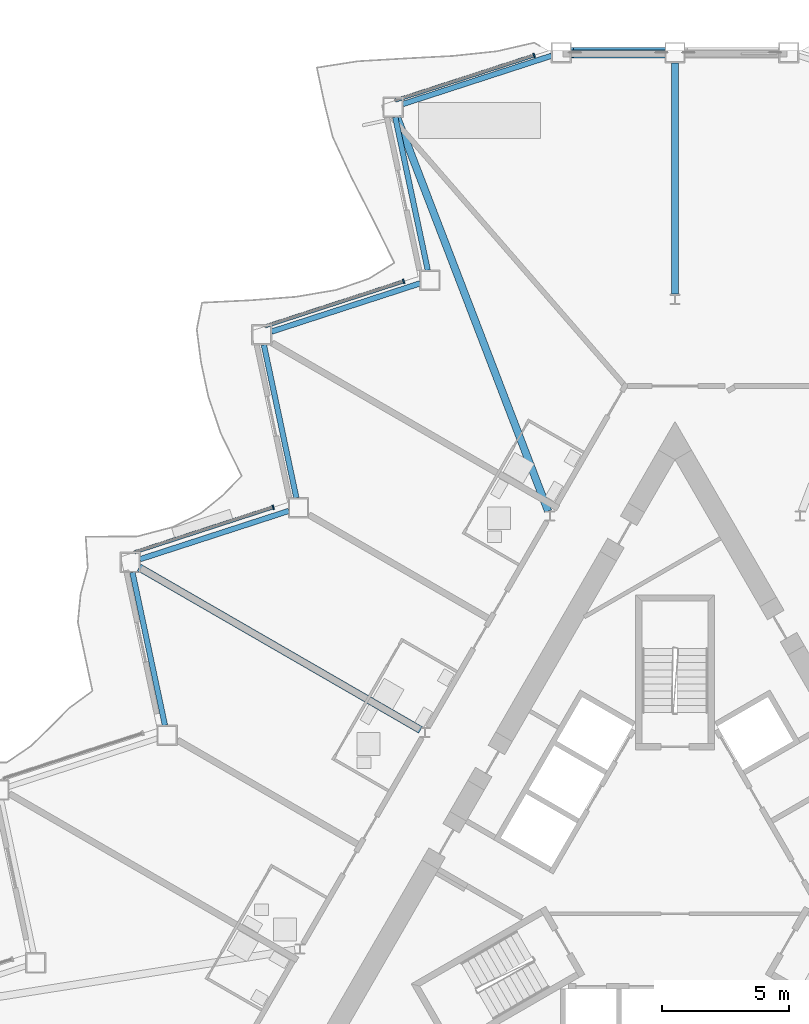
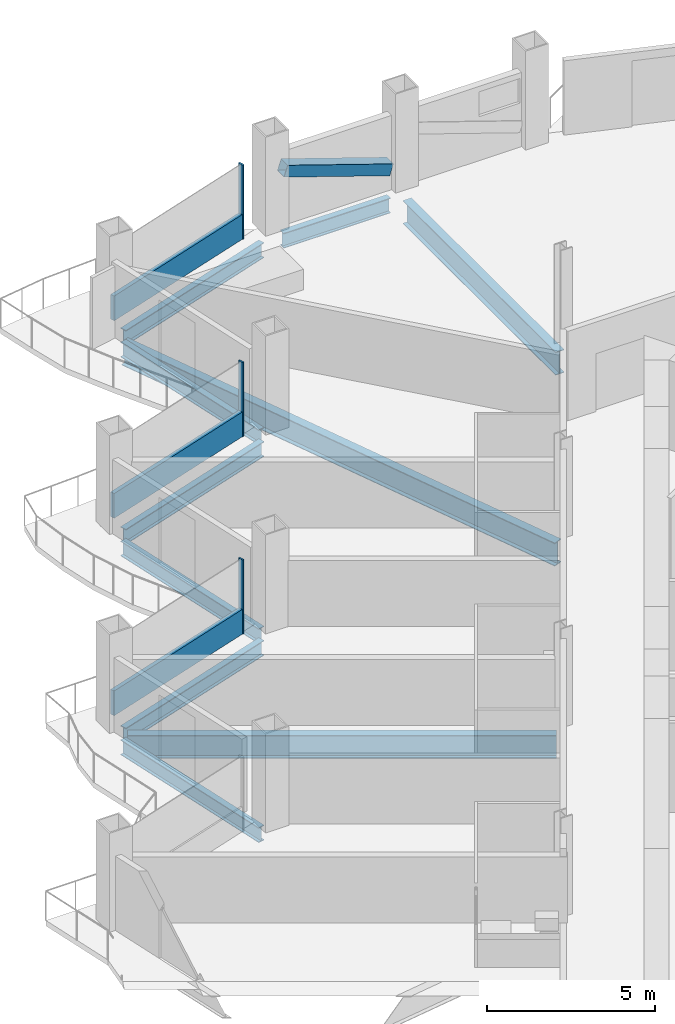
# One storey, part 7 of 23: 10 beams, 7 members, 3 elements without a shape of their own.
"""IFC4 building model written with IfcOpenShell, lengths in metres."""

import ifcopenshell
import ifcopenshell.guid

model = None  # the IFC model being written
_history = None  # IfcOwnerHistory: only IFC2X3 demands one
_inside = {}  # id of a spatial element -> (the spatial element, [elements in it])
_under = {}  # id of a project, library or spatial element -> (it, [spatial elements below it])
_declared = {}  # id of a project -> (the project, [libraries it declares])
_typed = {}  # id of a type object -> (the type object, [elements of that type])
_made_of = {}  # id of a material, layer set ... -> (it, [elements and type objects made of it])


def new_model(schema):
    """Start an empty IFC model of exactly this schema.

    Asked for "IFC4X3", IfcOpenShell would pick the latest addendum, in which some entities
    have other attributes; the version numbers below select the first issue.
    IFC2X3 requires an IfcOwnerHistory on every rooted entity: one is made here for all.
    """
    global model, _history
    if schema == "IFC4X3":
        model = ifcopenshell.file(schema_version=(4, 3, 0, 0))
    else:
        model = ifcopenshell.file(schema=schema)
    _inside.clear()
    _under.clear()
    _declared.clear()
    _typed.clear()
    _made_of.clear()
    _history = None
    if model.schema == "IFC2X3":
        org = make("IfcOrganization", Name="unknown")
        user = make(
            "IfcPersonAndOrganization",
            ThePerson=make("IfcPerson", FamilyName="unknown"),
            TheOrganization=org,
        )
        app = make(
            "IfcApplication",
            ApplicationDeveloper=org,
            Version="unknown",
            ApplicationFullName="unknown",
            ApplicationIdentifier="unknown",
        )
        _history = make(
            "IfcOwnerHistory",
            OwningUser=user,
            OwningApplication=app,
            ChangeAction="ADDED",
            CreationDate=0,
        )
    return model


def make(cls, **values):
    """One entity of the class cls with the attributes given. An attribute that is None is left unset."""
    return model.create_entity(
        cls, **{name: value for name, value in values.items() if value is not None}
    )


def rooted(cls, **values):
    """An entity with a GlobalId (a new one), such as an element, a storey or a relation."""
    return make(cls, GlobalId=ifcopenshell.guid.new(), OwnerHistory=_history, **values)


def si_unit(unit_type, name, prefix=None):
    """IfcSIUnit, for example si_unit("LENGTHUNIT", "METRE", prefix="MILLI")."""
    return make("IfcSIUnit", UnitType=unit_type, Prefix=prefix, Name=name)


def assignment(units):
    """IfcUnitAssignment: the units of a project."""
    return None if units is None else make("IfcUnitAssignment", Units=units)


def point(xyz):
    """IfcCartesianPoint."""
    return None if xyz is None else make("IfcCartesianPoint", Coordinates=xyz)


def direction(xyz):
    """IfcDirection."""
    return None if xyz is None else make("IfcDirection", DirectionRatios=xyz)


def frame(location, z_axis=None, x_axis=None):
    """IfcAxis2Placement3D, a coordinate frame: its origin and axes. An axis left out is left unset."""
    return make(
        "IfcAxis2Placement3D",
        Location=point(location),
        Axis=direction(z_axis),
        RefDirection=direction(x_axis),
    )


def frame_2d(location, x_axis=None):
    """IfcAxis2Placement2D, a coordinate frame in the plane: its origin and x axis."""
    return make(
        "IfcAxis2Placement2D", Location=point(location), RefDirection=direction(x_axis)
    )


def origin():
    """The frame at (0, 0, 0) with its axes left unset."""
    return frame((0.0, 0.0, 0.0))


def origin_2d():
    """The frame at (0, 0) in the plane with its x axis left unset."""
    return frame_2d((0.0, 0.0))


def place(relative_to, where):
    """IfcLocalPlacement: puts the frame where relative to a parent placement (None: the world)."""
    return make(
        "IfcLocalPlacement", PlacementRelTo=relative_to, RelativePlacement=where
    )


def context(
    kind, dimensions, precision=None, world=None, true_north=None, identifier=None
):
    """IfcGeometricRepresentationContext, for example the 3D "Model" context."""
    return make(
        "IfcGeometricRepresentationContext",
        ContextIdentifier=identifier,
        ContextType=kind,
        CoordinateSpaceDimension=dimensions,
        Precision=precision,
        WorldCoordinateSystem=world,
        TrueNorth=true_north,
    )


def subcontext(parent, identifier, kind, view, scale=None):
    """IfcGeometricRepresentationSubContext, for example "Body" below "Model"."""
    return make(
        "IfcGeometricRepresentationSubContext",
        ContextIdentifier=identifier,
        ContextType=kind,
        ParentContext=parent,
        TargetScale=scale,
        TargetView=view,
    )


def project(units=None, contexts=None):
    """IfcProject with its units and contexts."""
    return rooted(
        "IfcProject",
        Name="project",
        RepresentationContexts=contexts,
        UnitsInContext=assignment(units),
    )


def spatial(cls, under=None, at=None, **own):
    """A site, building, storey or space (cls), placed at a placement, below another one or the project."""
    s = rooted(cls, ObjectPlacement=at, **own)
    if under is not None:
        _under.setdefault(under.id(), (under, []))[1].append(s)
    return s


def profile(cls, at=None, kind="AREA", **sizes):
    """A parametric profile (cls). Its sizes go by their IFC names, for example OverallWidth=200.0."""
    return make(cls, ProfileType=kind, Position=at, **sizes)


def rectangle(**sizes):
    """IfcRectangleProfileDef."""
    return profile("IfcRectangleProfileDef", **sizes)


def hollow_rectangle(**sizes):
    """IfcRectangleHollowProfileDef."""
    return profile("IfcRectangleHollowProfileDef", **sizes)


def i_section(**sizes):
    """IfcIShapeProfileDef."""
    return profile("IfcIShapeProfileDef", **sizes)


def extrude(swept, where, along, depth):
    """IfcExtrudedAreaSolid: the profile swept, set in the frame where, extruded along a direction by depth."""
    return make(
        "IfcExtrudedAreaSolid",
        SweptArea=swept,
        Position=where,
        ExtrudedDirection=direction(along),
        Depth=depth,
    )


def shape(context_of_items, identifier, shape_type, items):
    """IfcShapeRepresentation: the items that make up one representation, for example the "Body"."""
    return make(
        "IfcShapeRepresentation",
        ContextOfItems=context_of_items,
        RepresentationIdentifier=identifier,
        RepresentationType=shape_type,
        Items=items,
    )


def material(Name=None, Category=None):
    """IfcMaterial."""
    return make("IfcMaterial", Name=Name, Category=Category)


def layer(
    of_material, thickness, ventilated=None, Name=None, Category=None, Priority=None
):
    """IfcMaterialLayer: one layer of a wall or slab, of a material (None: an air gap)."""
    return make(
        "IfcMaterialLayer",
        Material=of_material,
        LayerThickness=thickness,
        IsVentilated=ventilated,
        Name=Name,
        Category=Category,
        Priority=Priority,
    )


def layer_set(layers, Name=None):
    """IfcMaterialLayerSet."""
    return make("IfcMaterialLayerSet", MaterialLayers=layers, LayerSetName=Name)


def material_profile(
    of_material, cross_section, Name=None, Category=None, Priority=None
):
    """IfcMaterialProfile: a cross section and its material."""
    return make(
        "IfcMaterialProfile",
        Name=Name,
        Material=of_material,
        Profile=cross_section,
        Priority=Priority,
        Category=Category,
    )


def profile_set(profiles, Name=None, composite=None):
    """IfcMaterialProfileSet."""
    return make(
        "IfcMaterialProfileSet",
        Name=Name,
        MaterialProfiles=profiles,
        CompositeProfile=composite,
    )


def made_of(thing, what):
    """Note that an element or type object is made of a material, layer set ...; save() writes the relation."""
    if what is not None:
        _made_of.setdefault(what.id(), (what, []))[1].append(thing)
    return thing


def type_object(cls, material=None, **own):
    """A type object (cls), such as IfcWallType, which elements share."""
    return made_of(rooted(cls, **own), material)


def element(
    cls,
    number,
    at=None,
    inside=None,
    cuts=None,
    type_object=None,
    material=None,
    context=None,
    identifier="Body",
    shape_type=None,
    held_by="IfcProductDefinitionShape",
    body=None,
    shapes=None,
    **own,
):
    """One element of the class cls, such as IfcWall. Its Tag is "e" and its number.

    at: its placement. inside: the storey or other place that contains it. cuts: it is an
    opening in that element (IfcRelVoidsElement). A single representation is given by context,
    identifier, shape_type and body (its items); several are given by shapes. held_by: the class
    of the entity that holds the representations. save() writes the other relations.
    """
    e = rooted(cls, Tag="e%d" % number, ObjectPlacement=at, **own)
    if body is not None:
        shapes = [shape(context, identifier, shape_type, body)]
    if shapes is not None:
        e.Representation = make(held_by, Representations=shapes)
    if inside is not None:
        _inside.setdefault(inside.id(), (inside, []))[1].append(e)
    if cuts is not None:
        rooted(
            "IfcRelVoidsElement", RelatingBuildingElement=cuts, RelatedOpeningElement=e
        )
    if type_object is not None:
        _typed.setdefault(type_object.id(), (type_object, []))[1].append(e)
    return made_of(e, material)


def aggregate(whole, parts):
    """IfcRelAggregates: a whole, such as a stair, and the parts it consists of."""
    return rooted("IfcRelAggregates", RelatingObject=whole, RelatedObjects=parts)


def save(model, path):
    """Write the relations noted so far, then the file.

    IfcRelAggregates (storeys below a building ...), IfcRelContainedInSpatialStructure (elements
    in a storey), IfcRelDefinesByType, IfcRelAssociatesMaterial and IfcRelDeclares: one each for
    every whole, place, type object, material and project.
    """
    for whole, parts in _under.values():
        aggregate(whole, parts)
    for where, things in _inside.values():
        rooted(
            "IfcRelContainedInSpatialStructure",
            RelatedElements=things,
            RelatingStructure=where,
        )
    for kind, things in _typed.values():
        rooted("IfcRelDefinesByType", RelatedObjects=things, RelatingType=kind)
    for what, things in _made_of.values():
        rooted("IfcRelAssociatesMaterial", RelatedObjects=things, RelatingMaterial=what)
    for by, libraries in _declared.values():
        rooted("IfcRelDeclares", RelatingContext=by, RelatedDefinitions=libraries)
    model.write(path)


model = new_model("IFC4")

# Units and contexts
model_context = context("Model", 3, precision=1e-05, world=origin(), true_north=direction((0.0, 1.0)))
body_context = subcontext(model_context, "Body", "Model", "MODEL_VIEW")
ifc_project = project(units=[si_unit("LENGTHUNIT", "METRE"), si_unit("AREAUNIT", "SQUARE_METRE"), si_unit("VOLUMEUNIT", "CUBIC_METRE"), si_unit("PLANEANGLEUNIT", "RADIAN"), si_unit("MASSUNIT", "GRAM", prefix="KILO")], contexts=[model_context])

# Site, building, storey
site_placement = place(None, origin())
site = spatial("IfcSite", under=ifc_project, at=site_placement, CompositionType="ELEMENT")
building_placement = place(site_placement, origin())
building = spatial("IfcBuilding", under=site, at=building_placement, Name="Cormorant Prow Tower", CompositionType="ELEMENT")
storey_placement = place(building_placement, frame((0.0, 0.0, 187.199951171875)))
storey = spatial("IfcBuildingStorey", under=building, at=storey_placement, Name="L40", CompositionType="ELEMENT", Elevation=187.199951171875)

# Member
ifc_material_1 = material(Name="Structural steel ASTM A500 Gr C", Category="steel")
ifc_material_profile_1 = material_profile(ifc_material_1, hollow_rectangle(XDim=0.406494140625, YDim=0.406494140625, WallThickness=0.01171875, at=origin_2d()), Name="HSS16x16x1/2")
ifc_profile_set_1 = profile_set([ifc_material_profile_1], Name="Structural steel ASTM A500 Gr C")
member_type_1 = type_object("IfcMemberType", Name="Chamfer brace HSS16x16x1/2", PredefinedType="BRACE", material=ifc_profile_set_1)
member_1_placement = place(storey_placement, frame((-0.417236328125, 32.3994140625, 0.739990234375), z_axis=(-0.947980792039, 0.0, 0.318327532464), x_axis=(0.0, -1.0, 0.0)))
element("IfcMember", 1, at=member_1_placement, inside=storey, type_object=member_type_1, Name="Chamfer brace BR2 at N01 L40", PredefinedType="BRACE", context=body_context, shape_type="SweptSolid", body=[
    extrude(hollow_rectangle(XDim=0.406494140625, YDim=0.406494140625, WallThickness=0.01171875, at=origin_2d()), origin(), (0.0, 0.0, 1.0), 3.83544921875),
])

# Curtain wall, member
ifc_material_2 = material(Name="Aluminium 6063-T6", Category="aluminium")
ifc_layer = layer(ifc_material_2, 0.179931640625)
ifc_layer_set = layer_set([ifc_layer], Name="Aluminium 6063-T6")
curtain_wall_type = type_object("IfcCurtainWallType", Name="Hotel unitised curtain wall 180", PredefinedType="NOTDEFINED", material=ifc_layer_set)
curtain_wall_1_placement = place(storey_placement, origin())
curtain_wall_1 = element("IfcCurtainWall", 2, at=curtain_wall_1_placement, inside=storey, type_object=curtain_wall_type, Name="Hotel curtain wall WNW00", PredefinedType="NOTDEFINED")
ifc_material_3 = material(Name="Aluminium 6063-T6", Category="aluminium")
ifc_material_profile_2 = material_profile(ifc_material_3, rectangle(XDim=0.179931640625, YDim=0.06005859375, at=origin_2d()), Name="Hotel mullion 60x180")
ifc_profile_set_2 = profile_set([ifc_material_profile_2], Name="Aluminium 6063-T6")
member_type_2 = type_object("IfcMemberType", Name="Hotel mullion 60x180", PredefinedType="MULLION", material=ifc_profile_set_2)
member_2_placement = place(storey_placement, frame((-5.54052734375, 32.287109375, 0.0), z_axis=(0.0, 0.0, 1.0), x_axis=(0.309016960463, -0.951056527314, 0.0)))
member_2 = element("IfcMember", 3, at=member_2_placement, type_object=member_type_2, Name="Hotel mullion WNW00", PredefinedType="MULLION", context=body_context, shape_type="SweptSolid", body=[
    extrude(rectangle(XDim=0.179931640625, YDim=0.06005859375, at=origin_2d()), origin(), (0.0, 0.0, 1.0), 2.700927734375),
])

curtain_wall_2_placement = place(storey_placement, origin())
curtain_wall_2 = element("IfcCurtainWall", 4, at=curtain_wall_2_placement, inside=storey, type_object=curtain_wall_type, Name="Hotel curtain wall WNW02", PredefinedType="NOTDEFINED")
member_3_placement = place(storey_placement, frame((-10.667724609375, 23.40673828125, 0.0), z_axis=(0.0, 0.0, 1.0), x_axis=(0.309016960463, -0.951056527314, 0.0)))
member_3 = element("IfcMember", 5, at=member_3_placement, type_object=member_type_2, Name="Hotel mullion WNW02", PredefinedType="MULLION", context=body_context, shape_type="SweptSolid", body=[
    extrude(rectangle(XDim=0.179931640625, YDim=0.06005859375, at=origin_2d()), origin(), (0.0, 0.0, 1.0), 2.700927734375),
])

curtain_wall_3_placement = place(storey_placement, origin())
curtain_wall_3 = element("IfcCurtainWall", 6, at=curtain_wall_3_placement, inside=storey, type_object=curtain_wall_type, Name="Hotel curtain wall WNW04", PredefinedType="NOTDEFINED")
member_4_placement = place(storey_placement, frame((-15.794677734375, 14.5263671875, 0.0), z_axis=(0.0, 0.0, 1.0), x_axis=(0.309017048969, -0.951056498556, 0.0)))
member_4 = element("IfcMember", 7, at=member_4_placement, type_object=member_type_2, Name="Hotel mullion WNW04", PredefinedType="MULLION", context=body_context, shape_type="SweptSolid", body=[
    extrude(rectangle(XDim=0.179931640625, YDim=0.06005859375, at=origin_2d()), origin(), (0.0, 0.0, 1.0), 2.700927734375),
])

# Member
ifc_material_4 = material(Name="Terracotta", Category="masonry")
ifc_material_profile_3 = material_profile(ifc_material_4, rectangle(XDim=0.139892578125, YDim=0.89990234375, at=origin_2d()), Name="Hotel terracotta spandrel rail 140x900")
ifc_profile_set_3 = profile_set([ifc_material_profile_3], Name="Terracotta")
member_type_3 = type_object("IfcMemberType", Name="Hotel terracotta spandrel rail 140x900", PredefinedType="USERDEFINED", material=ifc_profile_set_3)
member_5_placement = place(storey_placement, frame((-5.569091796875, 32.27783203125, 0.449951171875), z_axis=(-0.951053256447, -0.309027026975, 0.0), x_axis=(0.309027026975, -0.951053256447, 0.0)))
member_5 = element("IfcMember", 8, at=member_5_placement, type_object=member_type_3, Name="Hotel spandrel rail WNW00", ObjectType="TRANSOM", PredefinedType="USERDEFINED", context=body_context, shape_type="SweptSolid", body=[
    extrude(rectangle(XDim=0.139892578125, YDim=0.89990234375, at=origin_2d()), origin(), (0.0, 0.0, 1.0), 5.703125),
])

aggregate(curtain_wall_1, [member_2, member_5])

member_6_placement = place(storey_placement, frame((-10.6962890625, 23.3974609375, 0.449951171875), z_axis=(-0.951053256447, -0.309027026975, 0.0), x_axis=(0.309027026975, -0.951053256447, 0.0)))
member_6 = element("IfcMember", 9, at=member_6_placement, type_object=member_type_3, Name="Hotel spandrel rail WNW02", ObjectType="TRANSOM", PredefinedType="USERDEFINED", context=body_context, shape_type="SweptSolid", body=[
    extrude(rectangle(XDim=0.139892578125, YDim=0.89990234375, at=origin_2d()), origin(), (0.0, 0.0, 1.0), 5.703125),
])

aggregate(curtain_wall_2, [member_3, member_6])

member_7_placement = place(storey_placement, frame((-15.8232421875, 14.51708984375, 0.449951171875), z_axis=(-0.951053256447, -0.309027026975, 0.0), x_axis=(0.309027026975, -0.951053256447, 0.0)))
member_7 = element("IfcMember", 10, at=member_7_placement, type_object=member_type_3, Name="Hotel spandrel rail WNW04", ObjectType="TRANSOM", PredefinedType="USERDEFINED", context=body_context, shape_type="SweptSolid", body=[
    extrude(rectangle(XDim=0.139892578125, YDim=0.89990234375, at=origin_2d()), origin(), (0.0, 0.0, 1.0), 5.703125),
])

aggregate(curtain_wall_3, [member_4, member_7])

# Beams
ifc_material_5 = material(Name="Structural steel ASTM A992 Gr 50", Category="steel")
ifc_material_profile_4 = material_profile(ifc_material_5, i_section(OverallWidth=0.29296875, OverallDepth=0.845703125, WebThickness=0.015380859375, FlangeThickness=0.0244140625, at=origin_2d()), Name="W33x141")
ifc_profile_set_4 = profile_set([ifc_material_profile_4], Name="Structural steel ASTM A992 Gr 50")
beam_type_1 = type_object("IfcBeamType", Name="Radial floor beam W33x141", PredefinedType="BEAM", material=ifc_profile_set_4)
beam_1_placement = place(storey_placement, frame((0.0, 22.901611328125, -0.77294921875), z_axis=(0.0, 1.0, 0.0), x_axis=(-1.0, 0.0, 0.0)))
element("IfcBeam", 11, at=beam_1_placement, inside=storey, type_object=beam_type_1, Name="Radial floor beam FB2 1 L40", PredefinedType="BEAM", context=body_context, shape_type="SweptSolid", body=[
    extrude(i_section(OverallWidth=0.29296875, OverallDepth=0.845703125, WebThickness=0.015380859375, FlangeThickness=0.0244140625, at=origin_2d()), origin(), (0.0, 0.0, 1.0), 9.097900390625),
])
beam_2_placement = place(storey_placement, frame((-4.9873046875, 14.376220703125, -0.77294921875), z_axis=(-0.358301123829, 0.933606075742, 0.0), x_axis=(-0.933606075742, -0.358301123829, 0.0)))
element("IfcBeam", 12, at=beam_2_placement, inside=storey, type_object=beam_type_1, Name="Radial floor beam FB2 2 L40", PredefinedType="BEAM", context=body_context, shape_type="SweptSolid", body=[
    extrude(i_section(OverallWidth=0.29296875, OverallDepth=0.845703125, WebThickness=0.015380859375, FlangeThickness=0.0244140625, at=origin_2d()), origin(), (0.0, 0.0, 1.0), 16.604736328125),
])
beam_3_placement = place(storey_placement, frame((-10.0048828125, 5.7763671875, -0.77294921875), z_axis=(-0.866026069776, 0.499998846467, 0.0), x_axis=(-0.499998846467, -0.866026069776, 0.0)))
element("IfcBeam", 13, at=beam_3_placement, inside=storey, type_object=beam_type_1, Name="Radial floor beam FB2 3 L40", PredefinedType="BEAM", context=body_context, shape_type="SweptSolid", body=[
    extrude(i_section(OverallWidth=0.29296875, OverallDepth=0.845703125, WebThickness=0.015380859375, FlangeThickness=0.0244140625, at=origin_2d()), origin(), (0.0, 0.0, 1.0), 12.76904296875),
])
ifc_material_6 = material(Name="Structural steel ASTM A992 Gr 50", Category="steel")
ifc_material_profile_5 = material_profile(ifc_material_6, i_section(OverallWidth=0.2138671875, OverallDepth=0.549072265625, WebThickness=0.0146484375, FlangeThickness=0.023681640625, at=origin_2d()), Name="W21x93")
ifc_profile_set_5 = profile_set([ifc_material_profile_5], Name="Structural steel ASTM A992 Gr 50")
beam_type_2 = type_object("IfcBeamType", Name="Spandrel beam W21x93", PredefinedType="SPANDREL", material=ifc_profile_set_5)
beam_4_placement = place(storey_placement, frame((-0.39990234375, 32.3994140625, -0.62451171875), z_axis=(-1.0, 0.0, 0.0), x_axis=(0.0, -1.0, 0.0)))
element("IfcBeam", 14, at=beam_4_placement, inside=storey, type_object=beam_type_2, Name="Spandrel beam SB2 N01-WNW00 L40", PredefinedType="SPANDREL", context=body_context, shape_type="SweptSolid", body=[
    extrude(i_section(OverallWidth=0.2138671875, OverallDepth=0.549072265625, WebThickness=0.0146484375, FlangeThickness=0.023681640625, at=origin_2d()), origin(), (0.0, 0.0, 1.0), 3.67041015625),
])
beam_5_placement = place(storey_placement, frame((-4.850830078125, 32.27587890625, -0.62451171875), z_axis=(-0.951057696564, -0.309013361859, 0.0), x_axis=(0.309013361859, -0.951057696564, 0.0)))
element("IfcBeam", 15, at=beam_5_placement, inside=storey, type_object=beam_type_2, Name="Spandrel beam SB2 WNW00-WNW01 L40", PredefinedType="SPANDREL", context=body_context, shape_type="SweptSolid", body=[
    extrude(i_section(OverallWidth=0.2138671875, OverallDepth=0.549072265625, WebThickness=0.0146484375, FlangeThickness=0.023681640625, at=origin_2d()), origin(), (0.0, 0.0, 1.0), 6.14990234375),
])
beam_6_placement = place(storey_placement, frame((-10.996826171875, 29.860595703125, -0.62451171875), z_axis=(0.207904811195, -0.978149063018, 0.0), x_axis=(0.978149063018, 0.207904811195, 0.0)))
element("IfcBeam", 16, at=beam_6_placement, inside=storey, type_object=beam_type_2, Name="Spandrel beam SB2 WNW01-WNW02 L40", PredefinedType="SPANDREL", context=body_context, shape_type="SweptSolid", body=[
    extrude(i_section(OverallWidth=0.2138671875, OverallDepth=0.549072265625, WebThickness=0.0146484375, FlangeThickness=0.023681640625, at=origin_2d()), origin(), (0.0, 0.0, 1.0), 6.149658203125),
])
beam_7_placement = place(storey_placement, frame((-10.015625, 23.330322265625, -0.62451171875), z_axis=(-0.951057696564, -0.309013361859, 0.0), x_axis=(0.309013361859, -0.951057696564, 0.0)))
element("IfcBeam", 17, at=beam_7_placement, inside=storey, type_object=beam_type_2, Name="Spandrel beam SB2 WNW02-WNW03 L40", PredefinedType="SPANDREL", context=body_context, shape_type="SweptSolid", body=[
    extrude(i_section(OverallWidth=0.2138671875, OverallDepth=0.549072265625, WebThickness=0.0146484375, FlangeThickness=0.023681640625, at=origin_2d()), origin(), (0.0, 0.0, 1.0), 6.14990234375),
])
beam_8_placement = place(storey_placement, frame((-16.16162109375, 20.9150390625, -0.62451171875), z_axis=(0.207904811195, -0.978149063018, 0.0), x_axis=(0.978149063018, 0.207904811195, 0.0)))
element("IfcBeam", 18, at=beam_8_placement, inside=storey, type_object=beam_type_2, Name="Spandrel beam SB2 WNW03-WNW04 L40", PredefinedType="SPANDREL", context=body_context, shape_type="SweptSolid", body=[
    extrude(i_section(OverallWidth=0.2138671875, OverallDepth=0.549072265625, WebThickness=0.0146484375, FlangeThickness=0.023681640625, at=origin_2d()), origin(), (0.0, 0.0, 1.0), 6.149658203125),
])
beam_9_placement = place(storey_placement, frame((-15.18017578125, 14.384765625, -0.62451171875), z_axis=(-0.951057696564, -0.309013361859, 0.0), x_axis=(0.309013361859, -0.951057696564, 0.0)))
element("IfcBeam", 19, at=beam_9_placement, inside=storey, type_object=beam_type_2, Name="Spandrel beam SB2 WNW04-WNW05 L40", PredefinedType="SPANDREL", context=body_context, shape_type="SweptSolid", body=[
    extrude(i_section(OverallWidth=0.2138671875, OverallDepth=0.549072265625, WebThickness=0.0146484375, FlangeThickness=0.023681640625, at=origin_2d()), origin(), (0.0, 0.0, 1.0), 6.14990234375),
])
beam_10_placement = place(storey_placement, frame((-21.326416015625, 11.969482421875, -0.62451171875), z_axis=(0.207904811195, -0.978149063018, 0.0), x_axis=(0.978149063018, 0.207904811195, 0.0)))
element("IfcBeam", 20, at=beam_10_placement, inside=storey, type_object=beam_type_2, Name="Spandrel beam SB2 WNW05-WNW06 L40", PredefinedType="SPANDREL", context=body_context, shape_type="SweptSolid", body=[
    extrude(i_section(OverallWidth=0.2138671875, OverallDepth=0.549072265625, WebThickness=0.0146484375, FlangeThickness=0.023681640625, at=origin_2d()), origin(), (0.0, 0.0, 1.0), 6.149658203125),
])

save(model, "model.ifc")
